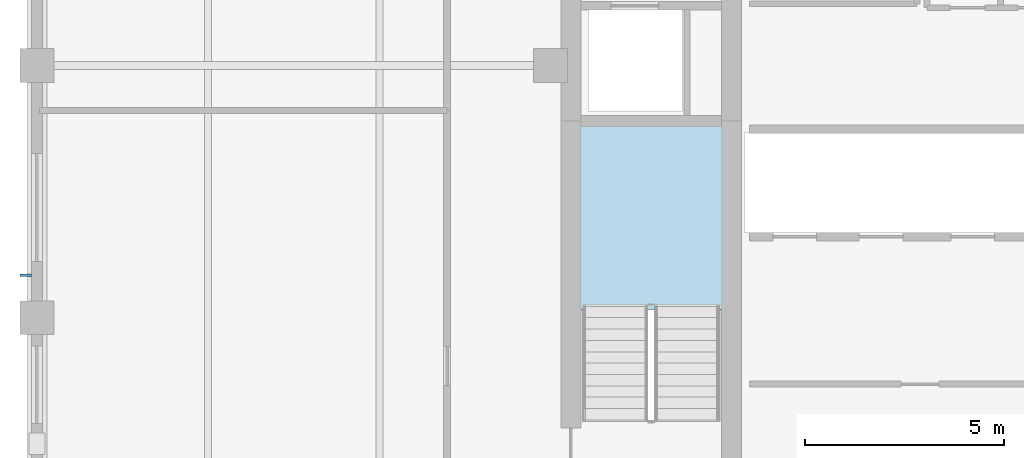
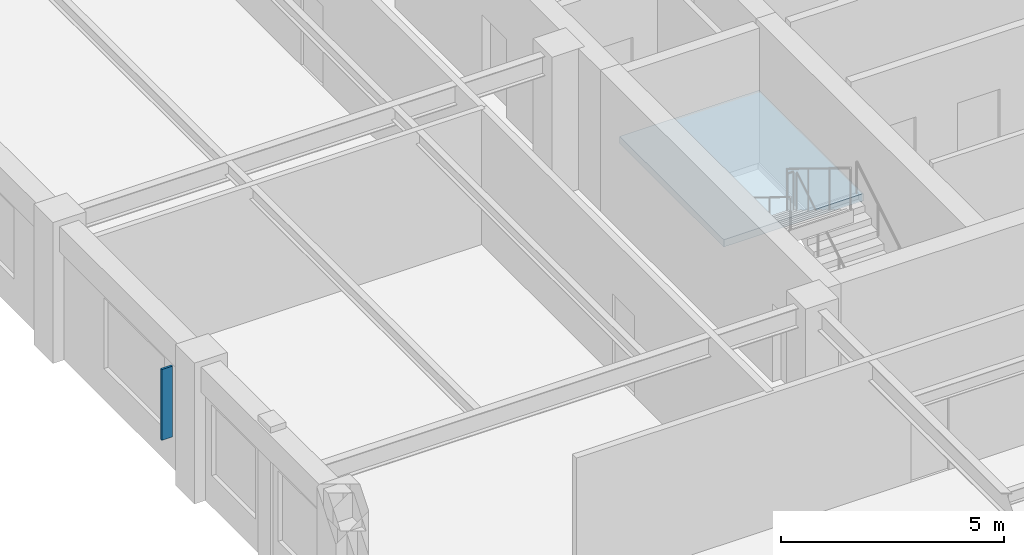
# One storey, part 6 of 13: 1 plate, 1 slab, 1 element without a shape of its own.
"""IFC4 building model written with IfcOpenShell, lengths in metres."""

from ifc_helpers import new_model, si_unit, direction, frame, origin, origin_2d, place, context, subcontext, project, spatial, polyline, rectangle, outline, extrude, material, layer, layer_set, type_object, element, aggregate, save


model = new_model("IFC4")

# Units and contexts
model_context = context("Model", 3, precision=1e-05, world=origin(), true_north=direction((0.0, 1.0)))
body_context = subcontext(model_context, "Body", "Model", "MODEL_VIEW")
ifc_project = project(units=[si_unit("LENGTHUNIT", "METRE"), si_unit("AREAUNIT", "SQUARE_METRE"), si_unit("VOLUMEUNIT", "CUBIC_METRE"), si_unit("PLANEANGLEUNIT", "RADIAN"), si_unit("MASSUNIT", "GRAM", prefix="KILO")], contexts=[model_context])

# Site, building, storey
site_placement = place(None, origin())
site = spatial("IfcSite", under=ifc_project, at=site_placement, CompositionType="ELEMENT")
building_placement = place(site_placement, origin())
building = spatial("IfcBuilding", under=site, at=building_placement, Name="Nhamokura Convention Tower", CompositionType="ELEMENT")
storey_placement = place(building_placement, frame((0.0, 0.0, 206.14990234375)))
storey = spatial("IfcBuildingStorey", under=building, at=storey_placement, Name="L50", CompositionType="ELEMENT", Elevation=206.14990234375)

# Plate
ifc_material_1 = material(Name="Anodised bronze aluminium AA6063-T6", Category="aluminium")
plate_type = type_object("IfcPlateType", Name="BronzeSolarFin_2", PredefinedType="USERDEFINED", material=ifc_material_1)
plate_placement = place(storey_placement, frame((7.469970703125, 26.7333984375, 0.85009765625), z_axis=(0.0, 0.0, 1.0), x_axis=(1.0, 0.0, 0.0)))
element("IfcPlate", 1, at=plate_placement, inside=storey, type_object=plate_type, Name="L50 Bronze Solar Shading Fin WEST 2", ObjectType="SOLAR_FIN", PredefinedType="USERDEFINED", context=body_context, shape_type="SweptSolid", body=[
    extrude(rectangle(XDim=0.280029296875, YDim=0.06005859375, at=origin_2d()), origin(), (0.0, 0.0, 1.0), 1.93505859375),
])

# Stair, slab
ifc_material_2 = material(Name="Concrete C40/50", Category="concrete")
stair_type = type_object("IfcStairType", Name="TowerCoreStair_1650", PredefinedType="HALF_TURN_STAIR", material=ifc_material_2)
stair_placement = place(storey_placement, origin())
stair = element("IfcStair", 2, at=stair_placement, inside=storey, type_object=stair_type, Name="L50 West Core Smokeproof Stair ST-01", PredefinedType="HALF_TURN_STAIR")
ifc_material_3 = material(Name="Concrete C40/50", Category="concrete")
ifc_layer = layer(ifc_material_3, 0.199951171875)
ifc_layer_set = layer_set([ifc_layer], Name="StairLandingSlab_200")
slab_type = type_object("IfcSlabType", Name="StairLandingSlab_200", PredefinedType="LANDING", material=ifc_layer_set)
slab_placement = place(storey_placement, frame((0.0, 0.0, 1.72509765625)))
slab = element("IfcSlab", 3, at=slab_placement, type_object=slab_type, Name="ST-01 landing 1", PredefinedType="LANDING", context=body_context, shape_type="SweptSolid", body=[
    extrude(outline(polyline([(24.97998046875, 25.8701171875), (24.97998046875, 30.530029296875), (21.3701171875, 30.530029296875), (21.3701171875, 25.8701171875), (24.97998046875, 25.8701171875)])), origin(), (0.0, 0.0, 1.0), 0.199951171875),
])
aggregate(stair, [slab])

save(model, "model.ifc")
